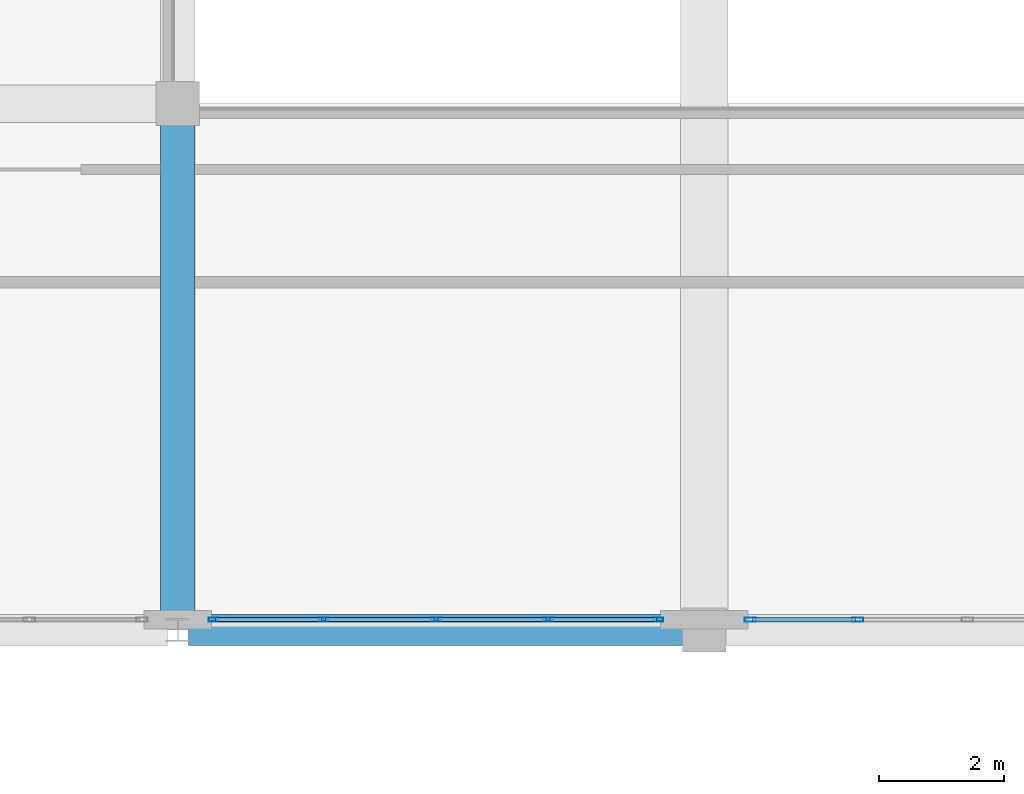
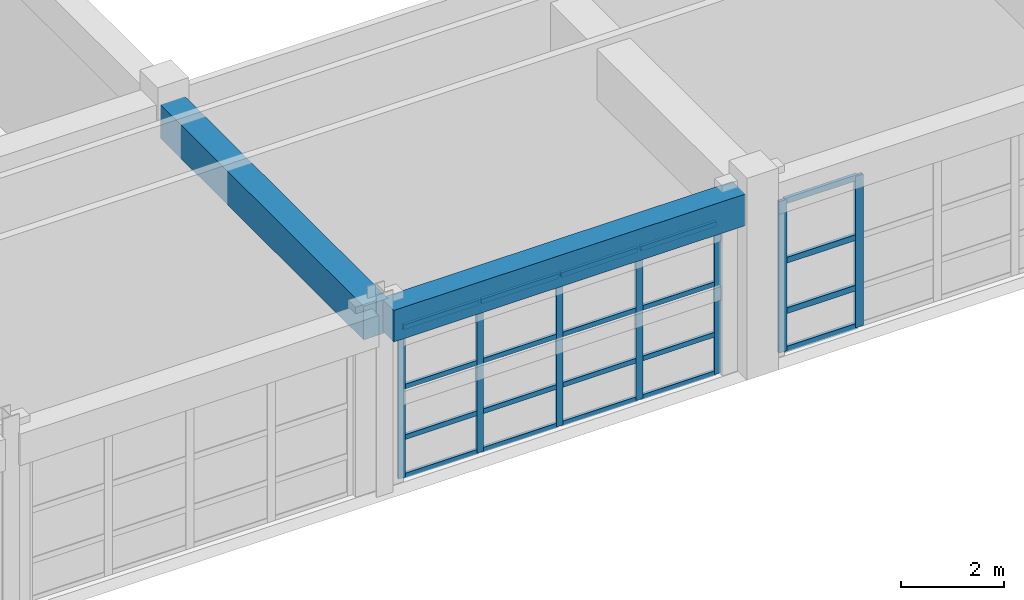
# One storey, part 35 of 123: 27 members, 2 beams, 2 elements without a shape of their own.
"""IFC4 building model written with IfcOpenShell, lengths in metres."""

from ifc_helpers import new_model, si_unit, direction, frame, origin, origin_2d, place, context, subcontext, project, spatial, rectangle, hollow_rectangle, extrude, material, layer, layer_set, material_profile, profile_set, type_object, element, aggregate, save


model = new_model("IFC4")

# Units and contexts
model_context = context("Model", 3, precision=1e-05, world=origin(), true_north=direction((0.0, 1.0)))
body_context = subcontext(model_context, "Body", "Model", "MODEL_VIEW")
ifc_project = project(units=[si_unit("LENGTHUNIT", "METRE"), si_unit("AREAUNIT", "SQUARE_METRE"), si_unit("VOLUMEUNIT", "CUBIC_METRE"), si_unit("PLANEANGLEUNIT", "RADIAN"), si_unit("MASSUNIT", "GRAM", prefix="KILO")], contexts=[model_context])

# Site, building, storey
site_placement = place(None, origin())
site = spatial("IfcSite", under=ifc_project, at=site_placement, CompositionType="ELEMENT")
building_placement = place(site_placement, origin())
building = spatial("IfcBuilding", under=site, at=building_placement, Name="Quendrovan Civic Courthouse", CompositionType="ELEMENT")
storey_placement = place(building_placement, frame((0.0, 0.0, 5.39990234375)))
storey = spatial("IfcBuildingStorey", under=building, at=storey_placement, Name="L02", CompositionType="ELEMENT", Elevation=5.39990234375)

# Beams
ifc_material_1 = material(Name="Concrete C40/50", Category="concrete")
ifc_material_profile_1 = material_profile(ifc_material_1, rectangle(XDim=0.5, YDim=0.75, at=origin_2d()), Name="RC-BM-500x750")
ifc_profile_set_1 = profile_set([ifc_material_profile_1], Name="Concrete C40/50")
beam_type_1 = type_object("IfcBeamType", Name="BM-RC750", PredefinedType="SPANDREL", material=ifc_profile_set_1)
beam_1_placement = place(storey_placement, frame((50.56689453125, 64.800048828125, 3.985107421875), z_axis=(1.0, 0.0, 0.0), x_axis=(0.0, 1.0, 0.0)))
element("IfcBeam", 1, at=beam_1_placement, inside=storey, type_object=beam_type_1, Name="L02 Girder X0532", PredefinedType="SPANDREL", context=body_context, shape_type="SweptSolid", body=[
    extrude(rectangle(XDim=0.5, YDim=0.75, at=origin_2d()), origin(), (0.0, 0.0, 1.0), 7.903076171875),
])
ifc_material_profile_2 = material_profile(ifc_material_1, rectangle(XDim=0.550048828125, YDim=0.800048828125, at=origin_2d()), Name="RC-BM-550x800")
ifc_profile_set_2 = profile_set([ifc_material_profile_2], Name="Concrete C40/50")
beam_type_2 = type_object("IfcBeamType", Name="BM-RC800", PredefinedType="BEAM", material=ifc_profile_set_2)
beam_2_placement = place(storey_placement, frame((50.39990234375, 64.966064453125, 3.960205078125), z_axis=(0.0, 1.0, 0.0), x_axis=(-1.0, 0.0, 0.0)))
element("IfcBeam", 2, at=beam_2_placement, inside=storey, type_object=beam_type_2, Name="L02 Girder Y0650", PredefinedType="BEAM", context=body_context, shape_type="SweptSolid", body=[
    extrude(rectangle(XDim=0.550048828125, YDim=0.800048828125, at=origin_2d()), origin(), (0.0, 0.0, 1.0), 7.904052734375),
])

# Curtain wall, members
ifc_material_2 = material(Name="Bronze anodised aluminium and low-E glass", Category="aluminium")
ifc_layer_1 = layer(ifc_material_2, 0.179931640625, Name="Bronze anodised aluminium and low-E glass")
ifc_layer_set_1 = layer_set([ifc_layer_1], Name="Bronze anodised aluminium and low-E glass")
curtain_wall_type_1 = type_object("IfcCurtainWallType", Name="CW-U70x36", PredefinedType="USERDEFINED", material=ifc_layer_set_1)
curtain_wall_1_placement = place(storey_placement, origin())
curtain_wall_1 = element("IfcCurtainWall", 3, at=curtain_wall_1_placement, inside=storey, type_object=curtain_wall_type_1, Name="L02 Unitised Hurricane Curtain Wall CW-110", ObjectType="UNITISED CURTAIN WALL", PredefinedType="USERDEFINED")
ifc_material_3 = material(Name="Bronze anodised aluminium", Category="aluminium")
ifc_material_profile_3 = material_profile(ifc_material_3, hollow_rectangle(XDim=0.070068359375, YDim=0.179931640625, WallThickness=0.00390625, at=origin_2d()), Name="CW-MULL-70x180")
ifc_profile_set_3 = profile_set([ifc_material_profile_3], Name="Bronze anodised aluminium")
member_type_1 = type_object("IfcMemberType", Name="CW-MULL-A", PredefinedType="MULLION", material=ifc_profile_set_3)
member_1_placement = place(storey_placement, frame((61.25, 64.965087890625, 0.0), z_axis=(0.0, 0.0, 1.0), x_axis=(0.0, -1.0, 0.0)))
member_1 = element("IfcMember", 4, at=member_1_placement, type_object=member_type_1, Name="CW-110 mullion 4", PredefinedType="MULLION", context=body_context, shape_type="SweptSolid", body=[
    extrude(hollow_rectangle(XDim=0.070068359375, YDim=0.179931640625, WallThickness=0.00390625, at=origin_2d()), origin(), (0.0, 0.0, 1.0), 3.60009765625),
])
member_2_placement = place(storey_placement, frame((59.534912109375, 64.965087890625, 0.0), z_axis=(0.0, 0.0, 1.0), x_axis=(0.0, -1.0, 0.0)))
member_2 = element("IfcMember", 5, at=member_2_placement, type_object=member_type_1, Name="CW-110 mullion 5", PredefinedType="MULLION", context=body_context, shape_type="SweptSolid", body=[
    extrude(hollow_rectangle(XDim=0.070068359375, YDim=0.179931640625, WallThickness=0.00390625, at=origin_2d()), origin(), (0.0, 0.0, 1.0), 3.60009765625),
])

ifc_layer_2 = layer(ifc_material_2, 0.179931640625, Name="Bronze anodised aluminium and low-E glass")
ifc_layer_set_2 = layer_set([ifc_layer_2], Name="Bronze anodised aluminium and low-E glass")
curtain_wall_type_2 = type_object("IfcCurtainWallType", Name="CW-U72x36", PredefinedType="USERDEFINED", material=ifc_layer_set_2)
curtain_wall_2_placement = place(storey_placement, origin())
curtain_wall_2 = element("IfcCurtainWall", 6, at=curtain_wall_2_placement, inside=storey, type_object=curtain_wall_type_2, Name="L02 Unitised Hurricane Curtain Wall CW-111", ObjectType="UNITISED CURTAIN WALL", PredefinedType="USERDEFINED")
ifc_material_profile_4 = material_profile(ifc_material_3, hollow_rectangle(XDim=0.06494140625, YDim=0.14990234375, WallThickness=0.00390625, at=origin_2d()), Name="CW-MULL-65x150")
ifc_profile_set_4 = profile_set([ifc_material_profile_4], Name="Bronze anodised aluminium")
member_type_2 = type_object("IfcMemberType", Name="CW-MULL-B", PredefinedType="MULLION", material=ifc_profile_set_4)
member_3_placement = place(storey_placement, frame((58.0673828125, 64.965087890625, 0.0), z_axis=(0.0, 0.0, 1.0), x_axis=(0.0, -1.0, 0.0)))
member_3 = element("IfcMember", 7, at=member_3_placement, type_object=member_type_2, Name="CW-111 mullion 1", PredefinedType="MULLION", context=body_context, shape_type="SweptSolid", body=[
    extrude(hollow_rectangle(XDim=0.06494140625, YDim=0.14990234375, WallThickness=0.00390625, at=origin_2d()), origin(), (0.0, 0.0, 1.0), 3.60009765625),
])
member_4_placement = place(storey_placement, frame((56.309326171875, 64.965087890625, 0.0), z_axis=(0.0, 0.0, 1.0), x_axis=(0.0, -1.0, 0.0)))
member_4 = element("IfcMember", 8, at=member_4_placement, type_object=member_type_2, Name="CW-111 mullion 2", PredefinedType="MULLION", context=body_context, shape_type="SweptSolid", body=[
    extrude(hollow_rectangle(XDim=0.06494140625, YDim=0.14990234375, WallThickness=0.00390625, at=origin_2d()), origin(), (0.0, 0.0, 1.0), 3.60009765625),
])
member_5_placement = place(storey_placement, frame((54.5185546875, 64.965087890625, 0.0), z_axis=(0.0, 0.0, 1.0), x_axis=(0.0, -1.0, 0.0)))
member_5 = element("IfcMember", 9, at=member_5_placement, type_object=member_type_2, Name="CW-111 mullion 3", PredefinedType="MULLION", context=body_context, shape_type="SweptSolid", body=[
    extrude(hollow_rectangle(XDim=0.06494140625, YDim=0.14990234375, WallThickness=0.00390625, at=origin_2d()), origin(), (0.0, 0.0, 1.0), 3.60009765625),
])
member_6_placement = place(storey_placement, frame((52.727783203125, 64.965087890625, 0.0), z_axis=(0.0, 0.0, 1.0), x_axis=(0.0, -1.0, 0.0)))
member_6 = element("IfcMember", 10, at=member_6_placement, type_object=member_type_2, Name="CW-111 mullion 4", PredefinedType="MULLION", context=body_context, shape_type="SweptSolid", body=[
    extrude(hollow_rectangle(XDim=0.06494140625, YDim=0.14990234375, WallThickness=0.00390625, at=origin_2d()), origin(), (0.0, 0.0, 1.0), 3.60009765625),
])
member_7_placement = place(storey_placement, frame((50.969482421875, 64.965087890625, 0.0), z_axis=(0.0, 0.0, 1.0), x_axis=(0.0, -1.0, 0.0)))
member_7 = element("IfcMember", 11, at=member_7_placement, type_object=member_type_2, Name="CW-111 mullion 5", PredefinedType="MULLION", context=body_context, shape_type="SweptSolid", body=[
    extrude(hollow_rectangle(XDim=0.06494140625, YDim=0.14990234375, WallThickness=0.00390625, at=origin_2d()), origin(), (0.0, 0.0, 1.0), 3.60009765625),
])

# Member
ifc_material_profile_5 = material_profile(ifc_material_3, hollow_rectangle(XDim=0.070068359375, YDim=0.139892578125, WallThickness=0.00390625, at=origin_2d()), Name="CW-TRAN-70x140")
ifc_profile_set_5 = profile_set([ifc_material_profile_5], Name="Bronze anodised aluminium")
member_type_3 = type_object("IfcMemberType", Name="CW-TRAN-A", PredefinedType="USERDEFINED", material=ifc_profile_set_5)
member_8_placement = place(storey_placement, frame((61.215087890625, 64.965087890625, 0.03515625), z_axis=(-1.0, 0.0, 0.0), x_axis=(0.0, -1.0, 0.0)))
member_8 = element("IfcMember", 12, at=member_8_placement, type_object=member_type_3, Name="CW-110 transom 4.1", ObjectType="TRANSOM", PredefinedType="USERDEFINED", context=body_context, shape_type="SweptSolid", body=[
    extrude(hollow_rectangle(XDim=0.070068359375, YDim=0.139892578125, WallThickness=0.00390625, at=origin_2d()), origin(), (0.0, 0.0, 1.0), 1.64501953125),
])

member_9_placement = place(storey_placement, frame((61.215087890625, 64.965087890625, 0.9501953125), z_axis=(-1.0, 0.0, 0.0), x_axis=(0.0, -1.0, 0.0)))
member_9 = element("IfcMember", 13, at=member_9_placement, type_object=member_type_3, Name="CW-110 transom 4.2", ObjectType="TRANSOM", PredefinedType="USERDEFINED", context=body_context, shape_type="SweptSolid", body=[
    extrude(hollow_rectangle(XDim=0.070068359375, YDim=0.139892578125, WallThickness=0.00390625, at=origin_2d()), origin(), (0.0, 0.0, 1.0), 1.64501953125),
])

member_10_placement = place(storey_placement, frame((61.215087890625, 64.965087890625, 2.150146484375), z_axis=(-1.0, 0.0, 0.0), x_axis=(0.0, -1.0, 0.0)))
member_10 = element("IfcMember", 14, at=member_10_placement, type_object=member_type_3, Name="CW-110 transom 4.3", ObjectType="TRANSOM", PredefinedType="USERDEFINED", context=body_context, shape_type="SweptSolid", body=[
    extrude(hollow_rectangle(XDim=0.070068359375, YDim=0.139892578125, WallThickness=0.00390625, at=origin_2d()), origin(), (0.0, 0.0, 1.0), 1.64501953125),
])

member_11_placement = place(storey_placement, frame((61.215087890625, 64.965087890625, 3.565185546875), z_axis=(-1.0, 0.0, 0.0), x_axis=(0.0, -1.0, 0.0)))
member_11 = element("IfcMember", 15, at=member_11_placement, type_object=member_type_3, Name="CW-110 transom 4.4", ObjectType="TRANSOM", PredefinedType="USERDEFINED", context=body_context, shape_type="SweptSolid", body=[
    extrude(hollow_rectangle(XDim=0.070068359375, YDim=0.139892578125, WallThickness=0.00390625, at=origin_2d()), origin(), (0.0, 0.0, 1.0), 1.64501953125),
])

aggregate(curtain_wall_1, [member_1, member_2, member_8, member_9, member_10, member_11])

ifc_material_profile_6 = material_profile(ifc_material_3, hollow_rectangle(XDim=0.06494140625, YDim=0.114990234375, WallThickness=0.00390625, at=origin_2d()), Name="CW-TRAN-65x115")
ifc_profile_set_6 = profile_set([ifc_material_profile_6], Name="Bronze anodised aluminium")
member_type_4 = type_object("IfcMemberType", Name="CW-TRAN-B", PredefinedType="USERDEFINED", material=ifc_profile_set_6)
member_12_placement = place(storey_placement, frame((58.034912109375, 64.965087890625, 0.03271484375), z_axis=(-1.0, 0.0, 0.0), x_axis=(0.0, -1.0, 0.0)))
member_12 = element("IfcMember", 16, at=member_12_placement, type_object=member_type_4, Name="CW-111 transom 1.1", ObjectType="TRANSOM", PredefinedType="USERDEFINED", context=body_context, shape_type="SweptSolid", body=[
    extrude(hollow_rectangle(XDim=0.06494140625, YDim=0.114990234375, WallThickness=0.00390625, at=origin_2d()), origin(), (0.0, 0.0, 1.0), 1.693115234375),
])

member_13_placement = place(storey_placement, frame((58.034912109375, 64.965087890625, 0.9501953125), z_axis=(-1.0, 0.0, 0.0), x_axis=(0.0, -1.0, 0.0)))
member_13 = element("IfcMember", 17, at=member_13_placement, type_object=member_type_4, Name="CW-111 transom 1.2", ObjectType="TRANSOM", PredefinedType="USERDEFINED", context=body_context, shape_type="SweptSolid", body=[
    extrude(hollow_rectangle(XDim=0.06494140625, YDim=0.114990234375, WallThickness=0.00390625, at=origin_2d()), origin(), (0.0, 0.0, 1.0), 1.693115234375),
])

member_14_placement = place(storey_placement, frame((58.034912109375, 64.965087890625, 2.150146484375), z_axis=(-1.0, 0.0, 0.0), x_axis=(0.0, -1.0, 0.0)))
member_14 = element("IfcMember", 18, at=member_14_placement, type_object=member_type_4, Name="CW-111 transom 1.3", ObjectType="TRANSOM", PredefinedType="USERDEFINED", context=body_context, shape_type="SweptSolid", body=[
    extrude(hollow_rectangle(XDim=0.06494140625, YDim=0.114990234375, WallThickness=0.00390625, at=origin_2d()), origin(), (0.0, 0.0, 1.0), 1.693115234375),
])

member_15_placement = place(storey_placement, frame((58.034912109375, 64.965087890625, 3.567626953125), z_axis=(-1.0, 0.0, 0.0), x_axis=(0.0, -1.0, 0.0)))
member_15 = element("IfcMember", 19, at=member_15_placement, type_object=member_type_4, Name="CW-111 transom 1.4", ObjectType="TRANSOM", PredefinedType="USERDEFINED", context=body_context, shape_type="SweptSolid", body=[
    extrude(hollow_rectangle(XDim=0.06494140625, YDim=0.114990234375, WallThickness=0.00390625, at=origin_2d()), origin(), (0.0, 0.0, 1.0), 1.693115234375),
])

member_16_placement = place(storey_placement, frame((56.27685546875, 64.965087890625, 0.03271484375), z_axis=(-1.0, 0.0, 0.0), x_axis=(0.0, -1.0, 0.0)))
member_16 = element("IfcMember", 20, at=member_16_placement, type_object=member_type_4, Name="CW-111 transom 2.1", ObjectType="TRANSOM", PredefinedType="USERDEFINED", context=body_context, shape_type="SweptSolid", body=[
    extrude(hollow_rectangle(XDim=0.06494140625, YDim=0.114990234375, WallThickness=0.00390625, at=origin_2d()), origin(), (0.0, 0.0, 1.0), 1.725830078125),
])

member_17_placement = place(storey_placement, frame((56.27685546875, 64.965087890625, 0.9501953125), z_axis=(-1.0, 0.0, 0.0), x_axis=(0.0, -1.0, 0.0)))
member_17 = element("IfcMember", 21, at=member_17_placement, type_object=member_type_4, Name="CW-111 transom 2.2", ObjectType="TRANSOM", PredefinedType="USERDEFINED", context=body_context, shape_type="SweptSolid", body=[
    extrude(hollow_rectangle(XDim=0.06494140625, YDim=0.114990234375, WallThickness=0.00390625, at=origin_2d()), origin(), (0.0, 0.0, 1.0), 1.725830078125),
])

member_18_placement = place(storey_placement, frame((56.27685546875, 64.965087890625, 2.150146484375), z_axis=(-1.0, 0.0, 0.0), x_axis=(0.0, -1.0, 0.0)))
member_18 = element("IfcMember", 22, at=member_18_placement, type_object=member_type_4, Name="CW-111 transom 2.3", ObjectType="TRANSOM", PredefinedType="USERDEFINED", context=body_context, shape_type="SweptSolid", body=[
    extrude(hollow_rectangle(XDim=0.06494140625, YDim=0.114990234375, WallThickness=0.00390625, at=origin_2d()), origin(), (0.0, 0.0, 1.0), 1.725830078125),
])

member_19_placement = place(storey_placement, frame((56.27685546875, 64.965087890625, 3.567626953125), z_axis=(-1.0, 0.0, 0.0), x_axis=(0.0, -1.0, 0.0)))
member_19 = element("IfcMember", 23, at=member_19_placement, type_object=member_type_4, Name="CW-111 transom 2.4", ObjectType="TRANSOM", PredefinedType="USERDEFINED", context=body_context, shape_type="SweptSolid", body=[
    extrude(hollow_rectangle(XDim=0.06494140625, YDim=0.114990234375, WallThickness=0.00390625, at=origin_2d()), origin(), (0.0, 0.0, 1.0), 1.725830078125),
])

member_20_placement = place(storey_placement, frame((54.486083984375, 64.965087890625, 0.03271484375), z_axis=(-1.0, 0.0, 0.0), x_axis=(0.0, -1.0, 0.0)))
member_20 = element("IfcMember", 24, at=member_20_placement, type_object=member_type_4, Name="CW-111 transom 3.1", ObjectType="TRANSOM", PredefinedType="USERDEFINED", context=body_context, shape_type="SweptSolid", body=[
    extrude(hollow_rectangle(XDim=0.06494140625, YDim=0.114990234375, WallThickness=0.00390625, at=origin_2d()), origin(), (0.0, 0.0, 1.0), 1.725830078125),
])

member_21_placement = place(storey_placement, frame((54.486083984375, 64.965087890625, 0.9501953125), z_axis=(-1.0, 0.0, 0.0), x_axis=(0.0, -1.0, 0.0)))
member_21 = element("IfcMember", 25, at=member_21_placement, type_object=member_type_4, Name="CW-111 transom 3.2", ObjectType="TRANSOM", PredefinedType="USERDEFINED", context=body_context, shape_type="SweptSolid", body=[
    extrude(hollow_rectangle(XDim=0.06494140625, YDim=0.114990234375, WallThickness=0.00390625, at=origin_2d()), origin(), (0.0, 0.0, 1.0), 1.725830078125),
])

member_22_placement = place(storey_placement, frame((54.486083984375, 64.965087890625, 2.150146484375), z_axis=(-1.0, 0.0, 0.0), x_axis=(0.0, -1.0, 0.0)))
member_22 = element("IfcMember", 26, at=member_22_placement, type_object=member_type_4, Name="CW-111 transom 3.3", ObjectType="TRANSOM", PredefinedType="USERDEFINED", context=body_context, shape_type="SweptSolid", body=[
    extrude(hollow_rectangle(XDim=0.06494140625, YDim=0.114990234375, WallThickness=0.00390625, at=origin_2d()), origin(), (0.0, 0.0, 1.0), 1.725830078125),
])

member_23_placement = place(storey_placement, frame((54.486083984375, 64.965087890625, 3.567626953125), z_axis=(-1.0, 0.0, 0.0), x_axis=(0.0, -1.0, 0.0)))
member_23 = element("IfcMember", 27, at=member_23_placement, type_object=member_type_4, Name="CW-111 transom 3.4", ObjectType="TRANSOM", PredefinedType="USERDEFINED", context=body_context, shape_type="SweptSolid", body=[
    extrude(hollow_rectangle(XDim=0.06494140625, YDim=0.114990234375, WallThickness=0.00390625, at=origin_2d()), origin(), (0.0, 0.0, 1.0), 1.725830078125),
])

member_24_placement = place(storey_placement, frame((52.6953125, 64.965087890625, 0.03271484375), z_axis=(-1.0, 0.0, 0.0), x_axis=(0.0, -1.0, 0.0)))
member_24 = element("IfcMember", 28, at=member_24_placement, type_object=member_type_4, Name="CW-111 transom 4.1", ObjectType="TRANSOM", PredefinedType="USERDEFINED", context=body_context, shape_type="SweptSolid", body=[
    extrude(hollow_rectangle(XDim=0.06494140625, YDim=0.114990234375, WallThickness=0.00390625, at=origin_2d()), origin(), (0.0, 0.0, 1.0), 1.693359375),
])

member_25_placement = place(storey_placement, frame((52.6953125, 64.965087890625, 0.9501953125), z_axis=(-1.0, 0.0, 0.0), x_axis=(0.0, -1.0, 0.0)))
member_25 = element("IfcMember", 29, at=member_25_placement, type_object=member_type_4, Name="CW-111 transom 4.2", ObjectType="TRANSOM", PredefinedType="USERDEFINED", context=body_context, shape_type="SweptSolid", body=[
    extrude(hollow_rectangle(XDim=0.06494140625, YDim=0.114990234375, WallThickness=0.00390625, at=origin_2d()), origin(), (0.0, 0.0, 1.0), 1.693359375),
])

member_26_placement = place(storey_placement, frame((52.6953125, 64.965087890625, 2.150146484375), z_axis=(-1.0, 0.0, 0.0), x_axis=(0.0, -1.0, 0.0)))
member_26 = element("IfcMember", 30, at=member_26_placement, type_object=member_type_4, Name="CW-111 transom 4.3", ObjectType="TRANSOM", PredefinedType="USERDEFINED", context=body_context, shape_type="SweptSolid", body=[
    extrude(hollow_rectangle(XDim=0.06494140625, YDim=0.114990234375, WallThickness=0.00390625, at=origin_2d()), origin(), (0.0, 0.0, 1.0), 1.693359375),
])

member_27_placement = place(storey_placement, frame((52.6953125, 64.965087890625, 3.567626953125), z_axis=(-1.0, 0.0, 0.0), x_axis=(0.0, -1.0, 0.0)))
member_27 = element("IfcMember", 31, at=member_27_placement, type_object=member_type_4, Name="CW-111 transom 4.4", ObjectType="TRANSOM", PredefinedType="USERDEFINED", context=body_context, shape_type="SweptSolid", body=[
    extrude(hollow_rectangle(XDim=0.06494140625, YDim=0.114990234375, WallThickness=0.00390625, at=origin_2d()), origin(), (0.0, 0.0, 1.0), 1.693359375),
])

aggregate(curtain_wall_2, [member_3, member_4, member_5, member_6, member_7, member_12, member_13, member_14, member_15, member_16, member_17, member_18, member_19, member_20, member_21, member_22, member_23, member_24, member_25, member_26, member_27])

save(model, "model.ifc")
